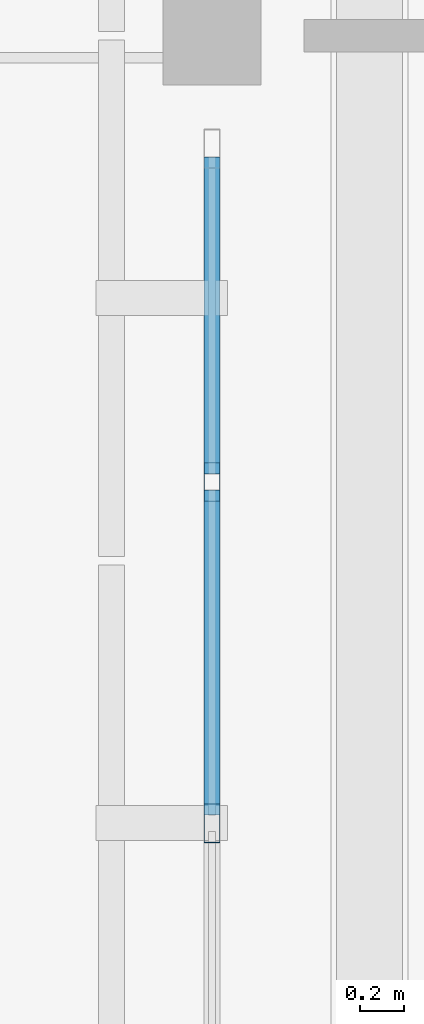
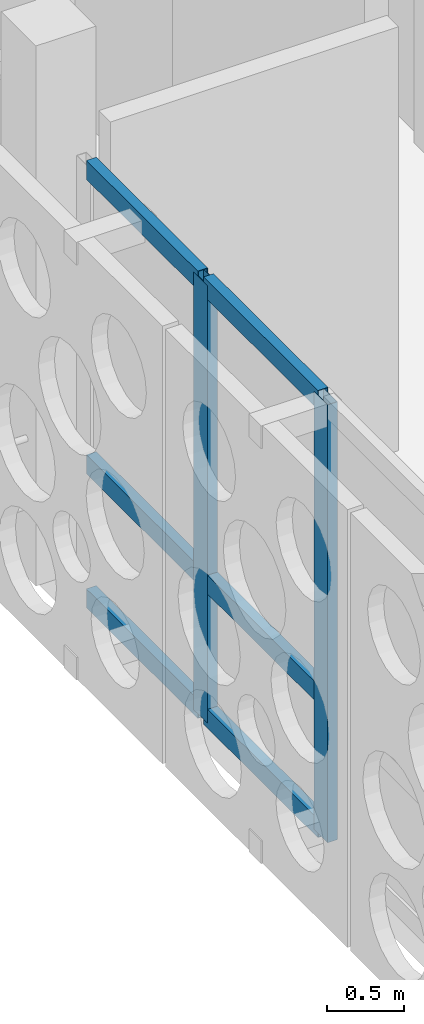
# One storey, part 37 of 171: 8 members, 1 element without a shape of its own.
"""IFC4 building model written with IfcOpenShell, lengths in metres."""

from ifc_helpers import new_model, si_unit, direction, frame, origin, origin_2d, place, context, subcontext, project, spatial, hollow_rectangle, extrude, material, material_profile, profile_set, type_object, element, aggregate, save


model = new_model("IFC4")

# Units and contexts
model_context = context("Model", 3, precision=1e-05, world=origin(), true_north=direction((0.0, 1.0)))
body_context = subcontext(model_context, "Body", "Model", "MODEL_VIEW")
ifc_project = project(units=[si_unit("LENGTHUNIT", "METRE"), si_unit("AREAUNIT", "SQUARE_METRE"), si_unit("VOLUMEUNIT", "CUBIC_METRE"), si_unit("PLANEANGLEUNIT", "RADIAN"), si_unit("MASSUNIT", "GRAM", prefix="KILO")], contexts=[model_context])

# Site, building, storey
site_placement = place(None, origin())
site = spatial("IfcSite", under=ifc_project, at=site_placement, CompositionType="ELEMENT")
building_placement = place(site_placement, origin())
building = spatial("IfcBuilding", under=site, at=building_placement, Name="Aldebral Square Health Centre", CompositionType="ELEMENT")
storey_placement = place(building_placement, frame((0.0, 0.0, 4.5)))
storey = spatial("IfcBuildingStorey", under=building, at=storey_placement, Name="L01", CompositionType="ELEMENT", Elevation=4.5)

# Curtain wall, members
ifc_material_1 = material(Name="Aluminium and low-E solar glass", Category="aluminium")
curtain_wall_type = type_object("IfcCurtainWallType", Name="CW-HALL-SYS", PredefinedType="USERDEFINED", material=ifc_material_1)
curtain_wall_placement = place(storey_placement, origin())
curtain_wall = element("IfcCurtainWall", 1, at=curtain_wall_placement, inside=storey, type_object=curtain_wall_type, Name="L01 V1 hall curtain wall L01-V1-14-10-W", ObjectType="HALL_CURTAIN_WALL", PredefinedType="USERDEFINED")
ifc_material_2 = material(Name="Anodised aluminium mullion", Category="aluminium")
ifc_material_profile_1 = material_profile(ifc_material_2, hollow_rectangle(XDim=0.074951171875, YDim=0.179931640625, WallThickness=0.00390625, at=origin_2d()), Name="CWM 75x180x4")
ifc_profile_set_1 = profile_set([ifc_material_profile_1], Name="Anodised aluminium mullion")
member_type_1 = type_object("IfcMemberType", Name="CWM-STD", PredefinedType="MULLION", material=ifc_profile_set_1)
member_1_placement = place(storey_placement, frame((100.800048828125, 77.159912109375, 0.0), z_axis=(0.0, 0.0, 1.0), x_axis=(1.0, 0.0, 0.0)))
member_1 = element("IfcMember", 2, at=member_1_placement, type_object=member_type_1, Name="CW2 mullion 2", PredefinedType="MULLION", context=body_context, shape_type="SweptSolid", body=[
    extrude(hollow_rectangle(XDim=0.074951171875, YDim=0.179931640625, WallThickness=0.00390625, at=origin_2d()), origin(), (0.0, 0.0, 1.0), 3.469970703125),
])
member_2_placement = place(storey_placement, frame((100.800048828125, 75.60009765625, 0.0), z_axis=(0.0, 0.0, 1.0), x_axis=(1.0, 0.0, 0.0)))
member_2 = element("IfcMember", 3, at=member_2_placement, type_object=member_type_1, Name="CW2 mullion 3", PredefinedType="MULLION", context=body_context, shape_type="SweptSolid", body=[
    extrude(hollow_rectangle(XDim=0.074951171875, YDim=0.179931640625, WallThickness=0.00390625, at=origin_2d()), origin(), (0.0, 0.0, 1.0), 3.469970703125),
])
ifc_material_3 = material(Name="Anodised aluminium transom", Category="aluminium")
ifc_material_profile_2 = material_profile(ifc_material_3, hollow_rectangle(XDim=0.074951171875, YDim=0.14990234375, WallThickness=0.00390625, at=origin_2d()), Name="CWT 75x150x4")
ifc_profile_set_2 = profile_set([ifc_material_profile_2], Name="Anodised aluminium transom")
member_type_2 = type_object("IfcMemberType", Name="CWT-STD", PredefinedType="USERDEFINED", material=ifc_profile_set_2)
member_3_placement = place(storey_placement, frame((100.800048828125, 78.64501953125, 0.03759765625), z_axis=(0.0, -1.0, 0.0), x_axis=(1.0, 0.0, 0.0)))
member_3 = element("IfcMember", 4, at=member_3_placement, type_object=member_type_2, Name="CW2 transom 1.1", ObjectType="TRANSOM", PredefinedType="USERDEFINED", context=body_context, shape_type="SweptSolid", body=[
    extrude(hollow_rectangle(XDim=0.074951171875, YDim=0.14990234375, WallThickness=0.00390625, at=origin_2d()), origin(), (0.0, 0.0, 1.0), 1.447509765625),
])
member_4_placement = place(storey_placement, frame((100.800048828125, 78.64501953125, 1.10009765625), z_axis=(0.0, -1.0, 0.0), x_axis=(1.0, 0.0, 0.0)))
member_4 = element("IfcMember", 5, at=member_4_placement, type_object=member_type_2, Name="CW2 transom 1.2", ObjectType="TRANSOM", PredefinedType="USERDEFINED", context=body_context, shape_type="SweptSolid", body=[
    extrude(hollow_rectangle(XDim=0.074951171875, YDim=0.14990234375, WallThickness=0.00390625, at=origin_2d()), origin(), (0.0, 0.0, 1.0), 1.447509765625),
])
member_5_placement = place(storey_placement, frame((100.800048828125, 78.64501953125, 3.4326171875), z_axis=(0.0, -1.0, 0.0), x_axis=(1.0, 0.0, 0.0)))
member_5 = element("IfcMember", 6, at=member_5_placement, type_object=member_type_2, Name="CW2 transom 1.3", ObjectType="TRANSOM", PredefinedType="USERDEFINED", context=body_context, shape_type="SweptSolid", body=[
    extrude(hollow_rectangle(XDim=0.074951171875, YDim=0.14990234375, WallThickness=0.00390625, at=origin_2d()), origin(), (0.0, 0.0, 1.0), 1.447509765625),
])
member_6_placement = place(storey_placement, frame((100.800048828125, 77.12255859375, 0.03759765625), z_axis=(0.0, -1.0, 0.0), x_axis=(1.0, 0.0, 0.0)))
member_6 = element("IfcMember", 7, at=member_6_placement, type_object=member_type_2, Name="CW2 transom 2.1", ObjectType="TRANSOM", PredefinedType="USERDEFINED", context=body_context, shape_type="SweptSolid", body=[
    extrude(hollow_rectangle(XDim=0.074951171875, YDim=0.14990234375, WallThickness=0.00390625, at=origin_2d()), origin(), (0.0, 0.0, 1.0), 1.485107421875),
])
member_7_placement = place(storey_placement, frame((100.800048828125, 77.12255859375, 1.10009765625), z_axis=(0.0, -1.0, 0.0), x_axis=(1.0, 0.0, 0.0)))
member_7 = element("IfcMember", 8, at=member_7_placement, type_object=member_type_2, Name="CW2 transom 2.2", ObjectType="TRANSOM", PredefinedType="USERDEFINED", context=body_context, shape_type="SweptSolid", body=[
    extrude(hollow_rectangle(XDim=0.074951171875, YDim=0.14990234375, WallThickness=0.00390625, at=origin_2d()), origin(), (0.0, 0.0, 1.0), 1.485107421875),
])
member_8_placement = place(storey_placement, frame((100.800048828125, 77.12255859375, 3.4326171875), z_axis=(0.0, -1.0, 0.0), x_axis=(1.0, 0.0, 0.0)))
member_8 = element("IfcMember", 9, at=member_8_placement, type_object=member_type_2, Name="CW2 transom 2.3", ObjectType="TRANSOM", PredefinedType="USERDEFINED", context=body_context, shape_type="SweptSolid", body=[
    extrude(hollow_rectangle(XDim=0.074951171875, YDim=0.14990234375, WallThickness=0.00390625, at=origin_2d()), origin(), (0.0, 0.0, 1.0), 1.485107421875),
])
aggregate(curtain_wall, [member_1, member_2, member_3, member_4, member_5, member_6, member_7, member_8])

save(model, "model.ifc")
